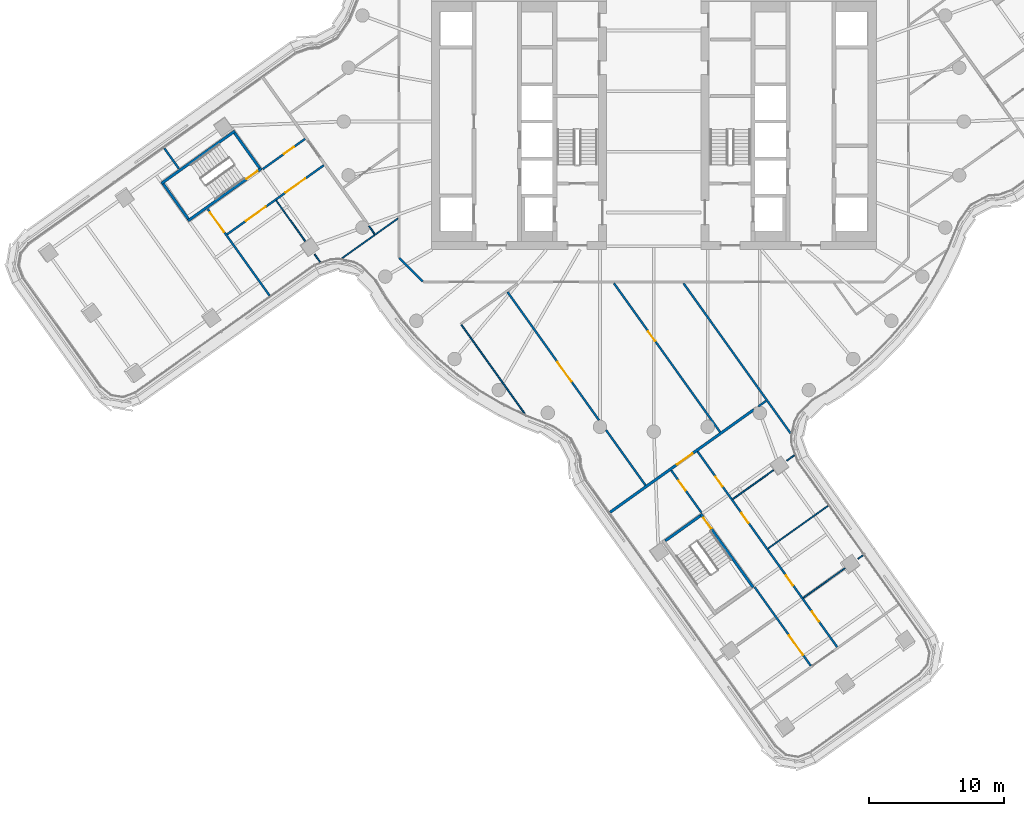
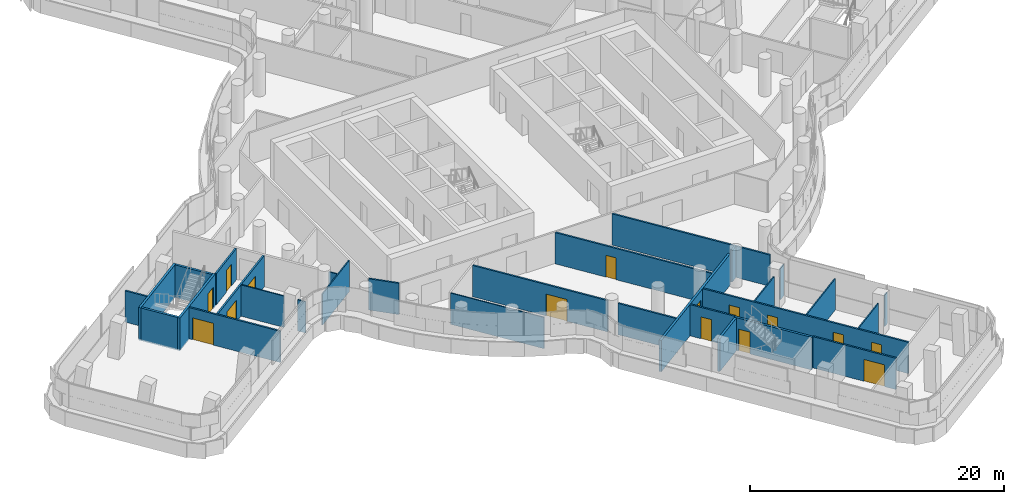
# One storey, part 19 of 31: 30 walls, 15 doors, 15 openings.
"""IFC4 building model written with IfcOpenShell, lengths in metres."""

from ifc_helpers import new_model, si_unit, direction, frame, frame_2d, origin, place, context, subcontext, project, spatial, polyline, rectangle, outline, extrude, material, layer, layer_set, type_object, element, fill, save


model = new_model("IFC4")

# Units and contexts
model_context = context("Model", 3, precision=1e-05, world=origin(), true_north=direction((0.0, 1.0)))
body_context = subcontext(model_context, "Body", "Model", "MODEL_VIEW")
ifc_project = project(units=[si_unit("LENGTHUNIT", "METRE"), si_unit("AREAUNIT", "SQUARE_METRE"), si_unit("VOLUMEUNIT", "CUBIC_METRE"), si_unit("PLANEANGLEUNIT", "RADIAN"), si_unit("MASSUNIT", "GRAM", prefix="KILO")], contexts=[model_context])

# Site, building, storey
site_placement = place(None, origin())
site = spatial("IfcSite", under=ifc_project, at=site_placement, CompositionType="ELEMENT")
building_placement = place(site_placement, origin())
building = spatial("IfcBuilding", under=site, at=building_placement, Name="Tamarind Cross Interchange Tower", CompositionType="ELEMENT")
storey_placement = place(building_placement, frame((0.0, 0.0, 163.0)))
storey = spatial("IfcBuildingStorey", under=building, at=storey_placement, Name="L40", CompositionType="ELEMENT", Elevation=163.0)

# Walls
ifc_material_1 = material(Name="Gypsum board partition on steel studs", Category="steel")
ifc_layer_1 = layer(ifc_material_1, 0.10009765625)
ifc_layer_set_1 = layer_set([ifc_layer_1], Name="Gypsum board partition on steel studs")
wall_type_1 = type_object("IfcWallType", Name="Partition 100 mm EI 90", PredefinedType="PARTITIONING", material=ifc_layer_set_1)
wall_1_placement = place(storey_placement, frame((-21.133544921875, -7.75244140625, 0.0), z_axis=(0.0, 0.0, 1.0), x_axis=(0.581112755837, -0.813823055094, 0.0)))
element("IfcWall", 1, at=wall_1_placement, inside=storey, type_object=wall_type_1, Name="Partition L40-004", PredefinedType="PARTITIONING", context=body_context, shape_type="SweptSolid", body=[
    extrude(rectangle(XDim=0.736572265625, YDim=0.10009765625, at=frame_2d((0.3681640625, 0.0))), origin(), (0.0, 0.0, 1.0), 3.010009765625),
])
wall_2_placement = place(storey_placement, frame((-28.014404296875, -5.860107421875, 0.0), z_axis=(0.0, 0.0, 1.0), x_axis=(0.581026614331, -0.813884557808, 0.0)))
element("IfcWall", 2, at=wall_2_placement, inside=storey, type_object=wall_type_1, Name="Partition L40-005", PredefinedType="PARTITIONING", context=body_context, shape_type="SweptSolid", body=[
    extrude(rectangle(XDim=3.71142578125, YDim=0.10009765625, at=frame_2d((1.855712890625, 0.0))), origin(), (0.0, 0.0, 1.0), 3.010009765625),
])
wall_3_placement = place(storey_placement, frame((-25.163818359375, -9.853271484375, 0.0), z_axis=(0.0, 0.0, 1.0), x_axis=(0.580867780288, -0.81399792495, 0.0)))
element("IfcWall", 3, at=wall_3_placement, inside=storey, type_object=wall_type_1, Name="Partition L40-006", PredefinedType="PARTITIONING", context=body_context, shape_type="SweptSolid", body=[
    extrude(rectangle(XDim=0.68603515625, YDim=0.10009765625, at=frame_2d((0.343017578125, 0.0))), origin(), (0.0, 0.0, 1.0), 3.010009765625),
])
wall_4_placement = place(storey_placement, frame((-14.2763671875, -15.0830078125, 0.0), z_axis=(0.0, 0.0, 1.0), x_axis=(0.581066903394, -0.813855794217, 0.0)))
element("IfcWall", 4, at=wall_4_placement, inside=storey, type_object=wall_type_1, Name="Partition L40-008", PredefinedType="PARTITIONING", context=body_context, shape_type="SweptSolid", body=[
    extrude(rectangle(XDim=8.090087890625, YDim=0.10009765625, at=frame_2d((4.044921875, 0.0))), origin(), (0.0, 0.0, 1.0), 3.010009765625),
])
wall_5_placement = place(storey_placement, frame((-23.128662109375, -10.14404296875, 0.0), z_axis=(0.0, 0.0, 1.0), x_axis=(0.813856589763, 0.581065789132, 0.0)))
element("IfcWall", 5, at=wall_5_placement, inside=storey, type_object=wall_type_1, Name="Partition L40-047", PredefinedType="PARTITIONING", context=body_context, shape_type="SweptSolid", body=[
    extrude(rectangle(XDim=5.090576171875, YDim=0.10009765625, at=frame_2d((2.54541015625, 0.0))), origin(), (0.0, 0.0, 1.0), 3.010009765625),
])
wall_6_placement = place(storey_placement, frame((11.089599609375, -35.338623046875, 0.0), z_axis=(0.0, 0.0, 1.0), x_axis=(0.813816098743, 0.581122497781, 0.0)))
element("IfcWall", 6, at=wall_6_placement, inside=storey, type_object=wall_type_1, Name="Partition L40-061", PredefinedType="PARTITIONING", context=body_context, shape_type="SweptSolid", body=[
    extrude(rectangle(XDim=3.792724609375, YDim=0.10009765625, at=frame_2d((1.896484375, 0.0))), origin(), (0.0, 0.0, 1.0), 3.010009765625),
])
wall_7_placement = place(storey_placement, frame((15.148681640625, -32.440185546875, 0.0), z_axis=(0.0, 0.0, 1.0), x_axis=(0.813915170584, 0.580983730489, 0.0)))
element("IfcWall", 7, at=wall_7_placement, inside=storey, type_object=wall_type_1, Name="Partition L40-062", PredefinedType="PARTITIONING", context=body_context, shape_type="SweptSolid", body=[
    extrude(rectangle(XDim=0.453857421875, YDim=0.10009765625, at=frame_2d((0.22705078125, 0.0))), origin(), (0.0, 0.0, 1.0), 3.010009765625),
])
wall_8_placement = place(storey_placement, frame((5.864013671875, -28.011474609375, 0.0), z_axis=(0.0, 0.0, 1.0), x_axis=(0.813902551418, 0.581001408599, 0.0)))
element("IfcWall", 8, at=wall_8_placement, inside=storey, type_object=wall_type_1, Name="Partition L40-063", PredefinedType="PARTITIONING", context=body_context, shape_type="SweptSolid", body=[
    extrude(rectangle(XDim=3.70654296875, YDim=0.10009765625, at=frame_2d((1.853271484375, 0.0))), origin(), (0.0, 0.0, 1.0), 3.010009765625),
])
wall_9_placement = place(storey_placement, frame((9.853271484375, -25.163818359375, 0.0), z_axis=(0.0, 0.0, 1.0), x_axis=(0.81399792495, 0.580867780288, 0.0)))
element("IfcWall", 9, at=wall_9_placement, inside=storey, type_object=wall_type_1, Name="Partition L40-064", PredefinedType="PARTITIONING", context=body_context, shape_type="SweptSolid", body=[
    extrude(rectangle(XDim=0.68603515625, YDim=0.10009765625, at=frame_2d((0.343017578125, 0.0))), origin(), (0.0, 0.0, 1.0), 3.010009765625),
])
wall_10_placement = place(storey_placement, frame((8.47509765625, -31.676513671875, 0.0), z_axis=(0.0, 0.0, 1.0), x_axis=(0.813863552806, 0.58105603638, 0.0)))
element("IfcWall", 10, at=wall_10_placement, inside=storey, type_object=wall_type_1, Name="Partition L40-066", PredefinedType="PARTITIONING", context=body_context, shape_type="SweptSolid", body=[
    extrude(rectangle(XDim=5.4521484375, YDim=0.10009765625, at=frame_2d((2.72607421875, 0.0))), origin(), (0.0, 0.0, 1.0), 3.010009765625),
])
ifc_layer_2 = layer(ifc_material_1, 0.14990234375)
ifc_layer_set_2 = layer_set([ifc_layer_2], Name="Gypsum board partition on steel studs")
wall_type_2 = type_object("IfcWallType", Name="Partition 150 mm EI 120", PredefinedType="PARTITIONING", material=ifc_layer_set_2)
wall_11_placement = place(storey_placement, frame((-36.310302734375, -1.985107421875, 0.0), z_axis=(0.0, 0.0, 1.0), x_axis=(0.58134998699, -0.813653607272, 0.0)))
element("IfcWall", 11, at=wall_11_placement, inside=storey, type_object=wall_type_2, Name="Partition L40-001", PredefinedType="PARTITIONING", context=body_context, shape_type="SweptSolid", body=[
    extrude(rectangle(XDim=1.859130859375, YDim=0.14990234375, at=frame_2d((0.9296875, 0.0))), origin(), (0.0, 0.0, 1.0), 3.010009765625),
])

# Wall, opening, door
wall_12_placement = place(storey_placement, frame((-33.09033203125, -6.491943359375, 0.0), z_axis=(0.0, 0.0, 1.0), x_axis=(0.581337737227, -0.813662359505, 0.0)))
wall_12 = element("IfcWall", 12, at=wall_12_placement, inside=storey, type_object=wall_type_2, Name="Partition L40-002", PredefinedType="PARTITIONING", context=body_context, shape_type="SweptSolid", body=[
    extrude(rectangle(XDim=7.8876953125, YDim=0.14990234375, at=frame_2d((3.94384765625, 0.0))), origin(), (0.0, 0.0, 1.0), 3.010009765625),
])
opening_1_placement = place(wall_12_placement, frame((0.300048828125, 0.0, 0.0)))
opening_1 = element("IfcOpeningElement", 13, at=opening_1_placement, cuts=wall_12, Name="Opening D01", PredefinedType="OPENING", context=body_context, shape_type="SweptSolid", body=[
    extrude(rectangle(XDim=1.800048828125, YDim=2.10009765625, at=frame_2d((0.89990234375, 1.050048828125))), frame((0.0, 0.0849609375, 0.0), z_axis=(0.0, -1.0, 0.0), x_axis=(1.0, 0.0, 0.0)), (0.0, 0.0, 1.0), 0.169921875),
])
ifc_material_2 = material(Name="Fire-resisting door set")
door_type_1 = type_object("IfcDoorType", Name="Interior door 1800 x 2100 FD60S", OperationType="DOUBLE_DOOR_SINGLE_SWING", PredefinedType="DOOR", material=ifc_material_2)
door_1_placement = place(opening_1_placement, frame((1.800048828125, 0.0, 0.0), z_axis=(0.0, 0.0, 1.0), x_axis=(-1.0, 0.0, 0.0)))
door_1 = element("IfcDoor", 14, at=door_1_placement, inside=storey, type_object=door_type_1, Name="Door D01", OperationType="DOUBLE_DOOR_SINGLE_SWING", OverallHeight=2.10009765625, OverallWidth=1.800048828125, PredefinedType="DOOR", context=body_context, shape_type="SweptSolid", body=[
    extrude(rectangle(XDim=1.800048828125, YDim=2.10009765625, at=frame_2d((0.89990234375, 1.050048828125))), frame((0.0, 0.02490234375, 0.0), z_axis=(0.0, -1.0, 0.0), x_axis=(1.0, 0.0, 0.0)), (0.0, 0.0, 1.0), 0.050048828125),
])
fill(opening_1, door_1)

wall_13_placement = place(storey_placement, frame((-10.85546875, -12.64599609375, 0.0), z_axis=(0.0, 0.0, 1.0), x_axis=(0.581046528205, -0.813870341063, 0.0)))
wall_13 = element("IfcWall", 15, at=wall_13_placement, inside=storey, type_object=wall_type_2, Name="Partition L40-010", PredefinedType="PARTITIONING", context=body_context, shape_type="SweptSolid", body=[
    extrude(rectangle(XDim=11.688720703125, YDim=0.14990234375, at=frame_2d((5.84423828125, 0.0))), origin(), (0.0, 0.0, 1.0), 3.010009765625),
])
opening_2_placement = place(wall_13_placement, frame((6.3701171875, 0.0, 0.0)))
opening_2 = element("IfcOpeningElement", 16, at=opening_2_placement, cuts=wall_13, Name="Opening D05", PredefinedType="OPENING", context=body_context, shape_type="SweptSolid", body=[
    extrude(rectangle(XDim=1.800048828125, YDim=2.10009765625, at=frame_2d((0.89990234375, 1.050048828125))), frame((0.0, 0.0849609375, 0.0), z_axis=(0.0, -1.0, 0.0), x_axis=(1.0, 0.0, 0.0)), (0.0, 0.0, 1.0), 0.169921875),
])
door_2_placement = place(opening_2_placement, frame((1.800048828125, 0.0, 0.0), z_axis=(0.0, 0.0, 1.0), x_axis=(-1.0, 0.0, 0.0)))
door_2 = element("IfcDoor", 17, at=door_2_placement, inside=storey, type_object=door_type_1, Name="Door D05", OperationType="DOUBLE_DOOR_SINGLE_SWING", OverallHeight=2.10009765625, OverallWidth=1.800048828125, PredefinedType="DOOR", context=body_context, shape_type="SweptSolid", body=[
    extrude(rectangle(XDim=1.800048828125, YDim=2.10009765625, at=frame_2d((0.89990234375, 1.050048828125))), frame((0.0, 0.02490234375, 0.0), z_axis=(0.0, -1.0, 0.0), x_axis=(1.0, 0.0, 0.0)), (0.0, 0.0, 1.0), 0.050048828125),
])
fill(opening_2, door_2)

# Wall
wall_14_placement = place(storey_placement, frame((-3.54638671875, -22.8837890625, 0.0), z_axis=(0.0, 0.0, 1.0), x_axis=(0.581059513392, -0.81386107039, 0.0)))
element("IfcWall", 18, at=wall_14_placement, inside=storey, type_object=wall_type_2, Name="Partition L40-011", PredefinedType="PARTITIONING", context=body_context, shape_type="SweptSolid", body=[
    extrude(rectangle(XDim=5.041015625, YDim=0.14990234375, at=frame_2d((2.5205078125, 0.0))), origin(), (0.0, 0.0, 1.0), 3.010009765625),
])

# Wall, opening, door
wall_15_placement = place(storey_placement, frame((-2.96044921875, -12.001708984375, 0.0), z_axis=(0.0, 0.0, 1.0), x_axis=(0.581045686684, -0.813870941849, 0.0)))
wall_15 = element("IfcWall", 19, at=wall_15_placement, inside=storey, type_object=wall_type_2, Name="Partition L40-017", PredefinedType="PARTITIONING", context=body_context, shape_type="SweptSolid", body=[
    extrude(rectangle(XDim=13.557373046875, YDim=0.14990234375, at=frame_2d((6.77880859375, 0.0))), origin(), (0.0, 0.0, 1.0), 3.010009765625),
])
opening_3_placement = place(wall_15_placement, frame((4.375, 0.0, 0.0)))
opening_3 = element("IfcOpeningElement", 20, at=opening_3_placement, cuts=wall_15, Name="Opening D08", PredefinedType="OPENING", context=body_context, shape_type="SweptSolid", body=[
    extrude(rectangle(XDim=0.89990234375, YDim=2.10009765625, at=frame_2d((0.449951171875, 1.050048828125))), frame((0.0, 0.0849609375, 0.0), z_axis=(0.0, -1.0, 0.0), x_axis=(1.0, 0.0, 0.0)), (0.0, 0.0, 1.0), 0.169921875),
])
door_type_2 = type_object("IfcDoorType", Name="Interior door 900 x 2100 FD60S", OperationType="SINGLE_SWING_LEFT", PredefinedType="DOOR", material=ifc_material_2)
door_3_placement = place(opening_3_placement, origin())
door_3 = element("IfcDoor", 21, at=door_3_placement, inside=storey, type_object=door_type_2, Name="Door D08", OperationType="SINGLE_SWING_RIGHT", OverallHeight=2.10009765625, OverallWidth=0.89990234375, PredefinedType="DOOR", context=body_context, shape_type="SweptSolid", body=[
    extrude(rectangle(XDim=0.89990234375, YDim=2.10009765625, at=frame_2d((0.449951171875, 1.050048828125))), frame((0.0, 0.02490234375, 0.0), z_axis=(0.0, -1.0, 0.0), x_axis=(1.0, 0.0, 0.0)), (0.0, 0.0, 1.0), 0.050048828125),
])
fill(opening_3, door_3)

wall_16_placement = place(storey_placement, frame((1.2890625, -25.871337890625, 0.0), z_axis=(0.0, 0.0, 1.0), x_axis=(0.581082620983, -0.813844572134, 0.0)))
wall_16 = element("IfcWall", 22, at=wall_16_placement, inside=storey, type_object=wall_type_2, Name="Partition L40-021", PredefinedType="PARTITIONING", context=body_context, shape_type="SweptSolid", body=[
    extrude(rectangle(XDim=3.85986328125, YDim=0.14990234375, at=frame_2d((1.929931640625, 0.0))), origin(), (0.0, 0.0, 1.0), 3.010009765625),
])
opening_4_placement = place(wall_16_placement, frame((0.949951171875, 0.0, 0.0)))
opening_4 = element("IfcOpeningElement", 23, at=opening_4_placement, cuts=wall_16, Name="Opening D12", PredefinedType="OPENING", context=body_context, shape_type="SweptSolid", body=[
    extrude(rectangle(XDim=0.89990234375, YDim=2.10009765625, at=frame_2d((0.449951171875, 1.050048828125))), frame((0.0, 0.0849609375, 0.0), z_axis=(0.0, -1.0, 0.0), x_axis=(1.0, 0.0, 0.0)), (0.0, 0.0, 1.0), 0.169921875),
])
door_4_placement = place(opening_4_placement, frame((0.89990234375, 0.0, 0.0), z_axis=(0.0, 0.0, 1.0), x_axis=(-1.0, 0.0, 0.0)))
door_4 = element("IfcDoor", 24, at=door_4_placement, inside=storey, type_object=door_type_2, Name="Door D12", OperationType="SINGLE_SWING_LEFT", OverallHeight=2.10009765625, OverallWidth=0.89990234375, PredefinedType="DOOR", context=body_context, shape_type="SweptSolid", body=[
    extrude(rectangle(XDim=0.89990234375, YDim=2.10009765625, at=frame_2d((0.449951171875, 1.050048828125))), frame((0.0, 0.02490234375, 0.0), z_axis=(0.0, -1.0, 0.0), x_axis=(1.0, 0.0, 0.0)), (0.0, 0.0, 1.0), 0.050048828125),
])
fill(opening_4, door_4)

wall_17_placement = place(storey_placement, frame((7.471923828125, -34.53076171875, 0.0), z_axis=(0.0, 0.0, 1.0), x_axis=(0.581077366751, -0.813848323614, 0.0)))
wall_17 = element("IfcWall", 25, at=wall_17_placement, inside=storey, type_object=wall_type_2, Name="Partition L40-022", PredefinedType="PARTITIONING", context=body_context, shape_type="SweptSolid", body=[
    extrude(rectangle(XDim=7.180419921875, YDim=0.14990234375, at=frame_2d((3.59033203125, 0.0))), origin(), (0.0, 0.0, 1.0), 3.010009765625),
])
opening_5_placement = place(wall_17_placement, frame((4.40966796875, 0.0, 0.0)))
opening_5 = element("IfcOpeningElement", 26, at=opening_5_placement, cuts=wall_17, Name="Opening D13", PredefinedType="OPENING", context=body_context, shape_type="SweptSolid", body=[
    extrude(rectangle(XDim=1.800048828125, YDim=2.10009765625, at=frame_2d((0.89990234375, 1.050048828125))), frame((0.0, 0.0849609375, 0.0), z_axis=(0.0, -1.0, 0.0), x_axis=(1.0, 0.0, 0.0)), (0.0, 0.0, 1.0), 0.169921875),
])
door_5_placement = place(opening_5_placement, frame((1.800048828125, 0.0, 0.0), z_axis=(0.0, 0.0, 1.0), x_axis=(-1.0, 0.0, 0.0)))
door_5 = element("IfcDoor", 27, at=door_5_placement, inside=storey, type_object=door_type_1, Name="Door D13", OperationType="DOUBLE_DOOR_SINGLE_SWING", OverallHeight=2.10009765625, OverallWidth=1.800048828125, PredefinedType="DOOR", context=body_context, shape_type="SweptSolid", body=[
    extrude(rectangle(XDim=1.800048828125, YDim=2.10009765625, at=frame_2d((0.89990234375, 1.050048828125))), frame((0.0, 0.02490234375, 0.0), z_axis=(0.0, -1.0, 0.0), x_axis=(1.0, 0.0, 0.0)), (0.0, 0.0, 1.0), 0.050048828125),
])
fill(opening_5, door_5)

# Wall
wall_18_placement = place(storey_placement, frame((2.20068359375, -12.001708984375, 0.0), z_axis=(0.0, 0.0, 1.0), x_axis=(0.580967898018, -0.813926471785, 0.0)))
element("IfcWall", 28, at=wall_18_placement, inside=storey, type_object=wall_type_2, Name="Partition L40-023", PredefinedType="PARTITIONING", context=body_context, shape_type="SweptSolid", body=[
    extrude(rectangle(XDim=13.672119140625, YDim=0.14990234375, at=frame_2d((6.8359375, 0.0))), origin(), (0.0, 0.0, 1.0), 3.010009765625),
])

# Wall, openings, doors
wall_19_placement = place(storey_placement, frame((3.2431640625, -24.477294921875, 0.0), z_axis=(0.0, 0.0, 1.0), x_axis=(0.581023028926, -0.813887117393, 0.0)))
wall_19 = element("IfcWall", 29, at=wall_19_placement, inside=storey, type_object=wall_type_2, Name="Partition L40-024", PredefinedType="PARTITIONING", context=body_context, shape_type="SweptSolid", body=[
    extrude(rectangle(XDim=17.819091796875, YDim=0.14990234375, at=frame_2d((8.90966796875, 0.0))), origin(), (0.0, 0.0, 1.0), 3.010009765625),
])
opening_6_placement = place(wall_19_placement, frame((2.300048828125, 0.0, 0.0)))
opening_6 = element("IfcOpeningElement", 30, at=opening_6_placement, cuts=wall_19, Name="Opening D14", PredefinedType="OPENING", context=body_context, shape_type="SweptSolid", body=[
    extrude(rectangle(XDim=0.89990234375, YDim=2.10009765625, at=frame_2d((0.449951171875, 1.050048828125))), frame((0.0, 0.0849609375, 0.0), z_axis=(0.0, -1.0, 0.0), x_axis=(1.0, 0.0, 0.0)), (0.0, 0.0, 1.0), 0.169921875),
])
opening_7_placement = place(wall_19_placement, frame((5.59912109375, 0.0, 0.0)))
opening_7 = element("IfcOpeningElement", 31, at=opening_7_placement, cuts=wall_19, Name="Opening D15", PredefinedType="OPENING", context=body_context, shape_type="SweptSolid", body=[
    extrude(rectangle(XDim=0.89990234375, YDim=2.10009765625, at=frame_2d((0.449951171875, 1.050048828125))), frame((0.0, 0.0849609375, 0.0), z_axis=(0.0, -1.0, 0.0), x_axis=(1.0, 0.0, 0.0)), (0.0, 0.0, 1.0), 0.169921875),
])
opening_8_placement = place(wall_19_placement, frame((11.299072265625, 0.0, 0.0)))
opening_8 = element("IfcOpeningElement", 32, at=opening_8_placement, cuts=wall_19, Name="Opening D16", PredefinedType="OPENING", context=body_context, shape_type="SweptSolid", body=[
    extrude(rectangle(XDim=0.89990234375, YDim=2.10009765625, at=frame_2d((0.449951171875, 1.050048828125))), frame((0.0, 0.0849609375, 0.0), z_axis=(0.0, -1.0, 0.0), x_axis=(1.0, 0.0, 0.0)), (0.0, 0.0, 1.0), 0.169921875),
])
opening_9_placement = place(wall_19_placement, frame((14.599609375, 0.0, 0.0)))
opening_9 = element("IfcOpeningElement", 33, at=opening_9_placement, cuts=wall_19, Name="Opening D17", PredefinedType="OPENING", context=body_context, shape_type="SweptSolid", body=[
    extrude(rectangle(XDim=0.89990234375, YDim=2.10009765625, at=frame_2d((0.449951171875, 1.050048828125))), frame((0.0, 0.0849609375, 0.0), z_axis=(0.0, -1.0, 0.0), x_axis=(1.0, 0.0, 0.0)), (0.0, 0.0, 1.0), 0.169921875),
])
door_6_placement = place(opening_6_placement, origin())
door_6 = element("IfcDoor", 34, at=door_6_placement, inside=storey, type_object=door_type_2, Name="Door D14", OperationType="SINGLE_SWING_RIGHT", OverallHeight=2.10009765625, OverallWidth=0.89990234375, PredefinedType="DOOR", context=body_context, shape_type="SweptSolid", body=[
    extrude(rectangle(XDim=0.89990234375, YDim=2.10009765625, at=frame_2d((0.449951171875, 1.050048828125))), frame((0.0, 0.02490234375, 0.0), z_axis=(0.0, -1.0, 0.0), x_axis=(1.0, 0.0, 0.0)), (0.0, 0.0, 1.0), 0.050048828125),
])
fill(opening_6, door_6)
door_7_placement = place(opening_7_placement, origin())
door_7 = element("IfcDoor", 35, at=door_7_placement, inside=storey, type_object=door_type_2, Name="Door D15", OperationType="SINGLE_SWING_RIGHT", OverallHeight=2.10009765625, OverallWidth=0.89990234375, PredefinedType="DOOR", context=body_context, shape_type="SweptSolid", body=[
    extrude(rectangle(XDim=0.89990234375, YDim=2.10009765625, at=frame_2d((0.449951171875, 1.050048828125))), frame((0.0, 0.02490234375, 0.0), z_axis=(0.0, -1.0, 0.0), x_axis=(1.0, 0.0, 0.0)), (0.0, 0.0, 1.0), 0.050048828125),
])
fill(opening_7, door_7)
door_8_placement = place(opening_8_placement, origin())
door_8 = element("IfcDoor", 36, at=door_8_placement, inside=storey, type_object=door_type_2, Name="Door D16", OperationType="SINGLE_SWING_LEFT", OverallHeight=2.10009765625, OverallWidth=0.89990234375, PredefinedType="DOOR", context=body_context, shape_type="SweptSolid", body=[
    extrude(rectangle(XDim=0.89990234375, YDim=2.10009765625, at=frame_2d((0.449951171875, 1.050048828125))), frame((0.0, 0.02490234375, 0.0), z_axis=(0.0, -1.0, 0.0), x_axis=(1.0, 0.0, 0.0)), (0.0, 0.0, 1.0), 0.050048828125),
])
fill(opening_8, door_8)
door_9_placement = place(opening_9_placement, origin())
door_9 = element("IfcDoor", 37, at=door_9_placement, inside=storey, type_object=door_type_2, Name="Door D17", OperationType="SINGLE_SWING_LEFT", OverallHeight=2.10009765625, OverallWidth=0.89990234375, PredefinedType="DOOR", context=body_context, shape_type="SweptSolid", body=[
    extrude(rectangle(XDim=0.89990234375, YDim=2.10009765625, at=frame_2d((0.449951171875, 1.050048828125))), frame((0.0, 0.02490234375, 0.0), z_axis=(0.0, -1.0, 0.0), x_axis=(1.0, 0.0, 0.0)), (0.0, 0.0, 1.0), 0.050048828125),
])
fill(opening_9, door_9)

# Wall
wall_20_placement = place(storey_placement, frame((-18.87158203125, -10.12841796875, 0.0), z_axis=(0.0, 0.0, 1.0), x_axis=(0.707106781187, -0.707106781187, 0.0)))
element("IfcWall", 38, at=wall_20_placement, inside=storey, type_object=wall_type_2, Name="Partition L40-034", PredefinedType="PARTITIONING", context=body_context, shape_type="SweptSolid", body=[
    extrude(rectangle(XDim=2.465087890625, YDim=0.14990234375, at=frame_2d((1.232421875, 0.0))), origin(), (0.0, 0.0, 1.0), 3.010009765625),
])

# Wall, openings, doors
wall_21_placement = place(storey_placement, frame((-31.65478515625, -8.367431640625, 0.0), z_axis=(0.0, 0.0, 1.0), x_axis=(0.813810154741, 0.581130821795, 0.0)))
wall_21 = element("IfcWall", 39, at=wall_21_placement, inside=storey, type_object=wall_type_2, Name="Partition L40-042", PredefinedType="PARTITIONING", context=body_context, shape_type="SweptSolid", body=[
    extrude(rectangle(XDim=8.819091796875, YDim=0.14990234375, at=frame_2d((4.40966796875, 0.0))), origin(), (0.0, 0.0, 1.0), 3.010009765625),
])
opening_10_placement = place(wall_21_placement, frame((1.719970703125, 0.0, 0.0)))
opening_10 = element("IfcOpeningElement", 40, at=opening_10_placement, cuts=wall_21, Name="Opening D26", PredefinedType="OPENING", context=body_context, shape_type="SweptSolid", body=[
    extrude(rectangle(XDim=1.800048828125, YDim=2.10009765625, at=frame_2d((0.89990234375, 1.050048828125))), frame((0.0, 0.0849609375, 0.0), z_axis=(0.0, -1.0, 0.0), x_axis=(1.0, 0.0, 0.0)), (0.0, 0.0, 1.0), 0.169921875),
])
opening_11_placement = place(wall_21_placement, frame((5.31982421875, 0.0, 0.0)))
opening_11 = element("IfcOpeningElement", 41, at=opening_11_placement, cuts=wall_21, Name="Opening D27", PredefinedType="OPENING", context=body_context, shape_type="SweptSolid", body=[
    extrude(rectangle(XDim=1.800048828125, YDim=2.10009765625, at=frame_2d((0.89990234375, 1.050048828125))), frame((0.0, 0.0849609375, 0.0), z_axis=(0.0, -1.0, 0.0), x_axis=(1.0, 0.0, 0.0)), (0.0, 0.0, 1.0), 0.169921875),
])
door_10_placement = place(opening_10_placement, frame((1.800048828125, 0.0, 0.0), z_axis=(0.0, 0.0, 1.0), x_axis=(-1.0, 0.0, 0.0)))
door_10 = element("IfcDoor", 42, at=door_10_placement, inside=storey, type_object=door_type_1, Name="Door D26", OperationType="DOUBLE_DOOR_SINGLE_SWING", OverallHeight=2.10009765625, OverallWidth=1.800048828125, PredefinedType="DOOR", context=body_context, shape_type="SweptSolid", body=[
    extrude(rectangle(XDim=1.800048828125, YDim=2.10009765625, at=frame_2d((0.89990234375, 1.050048828125))), frame((0.0, 0.02490234375, 0.0), z_axis=(0.0, -1.0, 0.0), x_axis=(1.0, 0.0, 0.0)), (0.0, 0.0, 1.0), 0.050048828125),
])
fill(opening_10, door_10)
door_11_placement = place(opening_11_placement, frame((1.800048828125, 0.0, 0.0), z_axis=(0.0, 0.0, 1.0), x_axis=(-1.0, 0.0, 0.0)))
door_11 = element("IfcDoor", 43, at=door_11_placement, inside=storey, type_object=door_type_1, Name="Door D27", OperationType="DOUBLE_DOOR_SINGLE_SWING", OverallHeight=2.10009765625, OverallWidth=1.800048828125, PredefinedType="DOOR", context=body_context, shape_type="SweptSolid", body=[
    extrude(rectangle(XDim=1.800048828125, YDim=2.10009765625, at=frame_2d((0.89990234375, 1.050048828125))), frame((0.0, 0.02490234375, 0.0), z_axis=(0.0, -1.0, 0.0), x_axis=(1.0, 0.0, 0.0)), (0.0, 0.0, 1.0), 0.050048828125),
])
fill(opening_11, door_11)

# Wall, opening, door
wall_22_placement = place(storey_placement, frame((-29.0126953125, -3.531982421875, 0.0), z_axis=(0.0, 0.0, 1.0), x_axis=(0.813844572134, 0.581082620983, 0.0)))
wall_22 = element("IfcWall", 44, at=wall_22_placement, inside=storey, type_object=wall_type_2, Name="Partition L40-043", PredefinedType="PARTITIONING", context=body_context, shape_type="SweptSolid", body=[
    extrude(rectangle(XDim=3.85986328125, YDim=0.14990234375, at=frame_2d((1.929931640625, 0.0))), origin(), (0.0, 0.0, 1.0), 3.010009765625),
])
opening_12_placement = place(wall_22_placement, frame((1.949951171875, 0.0, 0.0)))
opening_12 = element("IfcOpeningElement", 45, at=opening_12_placement, cuts=wall_22, Name="Opening D28", PredefinedType="OPENING", context=body_context, shape_type="SweptSolid", body=[
    extrude(rectangle(XDim=0.89990234375, YDim=2.10009765625, at=frame_2d((0.449951171875, 1.050048828125))), frame((0.0, 0.0849609375, 0.0), z_axis=(0.0, -1.0, 0.0), x_axis=(1.0, 0.0, 0.0)), (0.0, 0.0, 1.0), 0.169921875),
])
door_12_placement = place(opening_12_placement, origin())
door_12 = element("IfcDoor", 46, at=door_12_placement, inside=storey, type_object=door_type_2, Name="Door D28", OperationType="SINGLE_SWING_LEFT", OverallHeight=2.10009765625, OverallWidth=0.89990234375, PredefinedType="DOOR", context=body_context, shape_type="SweptSolid", body=[
    extrude(rectangle(XDim=0.89990234375, YDim=2.10009765625, at=frame_2d((0.449951171875, 1.050048828125))), frame((0.0, 0.02490234375, 0.0), z_axis=(0.0, -1.0, 0.0), x_axis=(1.0, 0.0, 0.0)), (0.0, 0.0, 1.0), 0.050048828125),
])
fill(opening_12, door_12)

# Wall
wall_23_placement = place(storey_placement, frame((7.75244140625, -21.133544921875, 0.0), z_axis=(0.0, 0.0, 1.0), x_axis=(0.813756818138, 0.581205506628, 0.0)))
element("IfcWall", 47, at=wall_23_placement, inside=storey, type_object=wall_type_2, Name="Partition L40-058", PredefinedType="PARTITIONING", context=body_context, shape_type="SweptSolid", body=[
    extrude(rectangle(XDim=0.70654296875, YDim=0.14990234375, at=frame_2d((0.353271484375, 0.0))), origin(), (0.0, 0.0, 1.0), 3.010009765625),
])

# Wall, opening, door
ifc_layer_3 = layer(ifc_material_1, 0.199951171875)
ifc_layer_set_3 = layer_set([ifc_layer_3], Name="Gypsum board partition on steel studs")
wall_type_3 = type_object("IfcWallType", Name="Partition 200 mm EI 180", PredefinedType="PARTITIONING", material=ifc_layer_set_3)
wall_24_placement = place(storey_placement, frame((-3.244140625, -28.9853515625, 0.0), z_axis=(0.0, 0.0, 1.0), x_axis=(0.813830379287, 0.581102498489, 0.0)))
wall_24 = element("IfcWall", 48, at=wall_24_placement, inside=storey, type_object=wall_type_3, Name="Partition L40-057", PredefinedType="PARTITIONING", context=body_context, shape_type="SweptSolid", body=[
    extrude(rectangle(XDim=13.105712890625, YDim=0.199951171875, at=frame_2d((6.552734375, 0.0))), origin(), (0.0, 0.0, 1.0), 3.010009765625),
])
opening_13_placement = place(wall_24_placement, frame((6.098876953125, 0.0, 0.0)))
opening_13 = element("IfcOpeningElement", 49, at=opening_13_placement, cuts=wall_24, Name="Opening D34", PredefinedType="OPENING", context=body_context, shape_type="SweptSolid", body=[
    extrude(rectangle(XDim=1.39990234375, YDim=2.10009765625, at=frame_2d((0.699951171875, 1.050048828125))), frame((0.0, 0.10986328125, 0.0), z_axis=(0.0, -1.0, 0.0), x_axis=(1.0, 0.0, 0.0)), (0.0, 0.0, 1.0), 0.219970703125),
])
door_type_3 = type_object("IfcDoorType", Name="Interior door 1400 x 2100 FD120S", OperationType="DOUBLE_DOOR_SINGLE_SWING", PredefinedType="DOOR", material=ifc_material_2)
door_13_placement = place(opening_13_placement, origin())
door_13 = element("IfcDoor", 50, at=door_13_placement, inside=storey, type_object=door_type_3, Name="Door D34", OperationType="DOUBLE_DOOR_SINGLE_SWING", OverallHeight=2.10009765625, OverallWidth=1.39990234375, PredefinedType="DOOR", context=body_context, shape_type="SweptSolid", body=[
    extrude(rectangle(XDim=1.39990234375, YDim=2.10009765625, at=frame_2d((0.699951171875, 1.050048828125))), frame((0.0, 0.02490234375, 0.0), z_axis=(0.0, -1.0, 0.0), x_axis=(1.0, 0.0, 0.0)), (0.0, 0.0, 1.0), 0.050048828125),
])
fill(opening_13, door_13)

ifc_material_3 = material(Name="Concrete C40", Category="concrete")
ifc_layer_4 = layer(ifc_material_3, 0.199951171875)
ifc_layer_set_4 = layer_set([ifc_layer_4], Name="Concrete C40")
wall_type_4 = type_object("IfcWallType", Name="Stair shaft wall 200 mm Concrete C40", PredefinedType="SHEAR", material=ifc_layer_set_4)
wall_25_placement = place(storey_placement, frame((-29.103515625, -3.47412109375, -0.139892578125), z_axis=(0.0, 0.0, 1.0), x_axis=(-0.813893474933, -0.58101412329, 0.0)))
wall_25 = element("IfcWall", 51, at=wall_25_placement, inside=storey, type_object=wall_type_4, Name="Core wall CWL-L40-ST5-H", PredefinedType="SHEAR", context=body_context, shape_type="SweptSolid", body=[
    extrude(rectangle(XDim=6.699951171875, YDim=0.199951171875, at=frame_2d((3.35009765625, 0.0))), origin(), (0.0, 0.0, 1.0), 3.14990234375),
])
opening_14_placement = place(wall_25_placement, frame((0.35009765625, 0.0, 0.0)))
opening_14 = element("IfcOpeningElement", 52, at=opening_14_placement, cuts=wall_25, Name="Opening ST5L40", PredefinedType="OPENING", context=body_context, shape_type="SweptSolid", body=[
    extrude(rectangle(XDim=1.0, YDim=2.10009765625, at=frame_2d((0.5, 1.050048828125))), frame((0.0, 0.10986328125, 0.0), z_axis=(0.0, -1.0, 0.0), x_axis=(1.0, 0.0, 0.0)), (0.0, 0.0, 1.0), 0.219970703125),
])
ifc_material_4 = material(Name="Steel, fire-resisting", Category="steel")
door_type_4 = type_object("IfcDoorType", Name="Core fire door 1000 x 2100 FD90", OperationType="SINGLE_SWING_LEFT", PredefinedType="DOOR", material=ifc_material_4)
door_14_placement = place(opening_14_placement, origin())
door_14 = element("IfcDoor", 53, at=door_14_placement, inside=storey, type_object=door_type_4, Name="L40 stair door ST5", OperationType="SINGLE_SWING_LEFT", OverallHeight=2.10009765625, OverallWidth=1.0, PredefinedType="DOOR", context=body_context, shape_type="SweptSolid", body=[
    extrude(rectangle(XDim=1.0, YDim=2.10009765625, at=frame_2d((0.5, 1.050048828125))), frame((0.0, 0.02490234375, 0.0), z_axis=(0.0, -1.0, 0.0), x_axis=(1.0, 0.0, 0.0)), (0.0, 0.0, 1.0), 0.050048828125),
])
fill(opening_14, door_14)

# Walls
wall_26_placement = place(storey_placement, frame((-31.0791015625, -0.706787109375, -0.139892578125), z_axis=(0.0, 0.0, 1.0), x_axis=(-0.813881173523, -0.581031354906, 0.0)))
element("IfcWall", 54, at=wall_26_placement, inside=storey, type_object=wall_type_4, Name="Core wall CWL-L40-ST5-C", PredefinedType="SHEAR", context=body_context, shape_type="SweptSolid", body=[
    extrude(rectangle(XDim=6.699951171875, YDim=0.199951171875, at=frame_2d((3.35009765625, 0.0))), origin(), (0.0, 0.0, 1.0), 3.14990234375),
])
wall_27_placement = place(storey_placement, frame((-31.102294921875, -0.84619140625, -0.139892578125), z_axis=(0.0, 0.0, 1.0), x_axis=(0.580985567777, -0.8139138591, 0.0)))
element("IfcWall", 55, at=wall_27_placement, inside=storey, type_object=wall_type_4, Name="Core wall CWL-L40-ST5-CE", PredefinedType="SHEAR", context=body_context, shape_type="SweptSolid", body=[
    extrude(rectangle(XDim=3.199951171875, YDim=0.199951171875, at=frame_2d((1.60009765625, 0.0))), origin(), (0.0, 0.0, 1.0), 3.14990234375),
])
wall_28_placement = place(storey_placement, frame((0.0, 0.0, -0.139892578125)))
element("IfcWall", 56, at=wall_28_placement, inside=storey, type_object=wall_type_4, Name="Core wall CWL-L40-ST5-CF", PredefinedType="SHEAR", context=body_context, shape_type="SweptSolid", body=[
    extrude(outline(polyline([(-36.311279296875, -4.56494140625), (-36.47412109375, -4.68115234375), (-34.61474609375, -7.285400390625), (-34.451904296875, -7.169189453125), (-36.311279296875, -4.56494140625)])), origin(), (0.0, 0.0, 1.0), 3.14990234375),
])

# Wall, opening, door
wall_29_placement = place(storey_placement, frame((3.47412109375, -29.103515625, -0.139892578125), z_axis=(0.0, 0.0, 1.0), x_axis=(0.58101412329, -0.813893474933, 0.0)))
wall_29 = element("IfcWall", 57, at=wall_29_placement, inside=storey, type_object=wall_type_4, Name="Core wall CWL-L40-ST6-H", PredefinedType="SHEAR", context=body_context, shape_type="SweptSolid", body=[
    extrude(rectangle(XDim=6.699951171875, YDim=0.199951171875, at=frame_2d((3.35009765625, 0.0))), origin(), (0.0, 0.0, 1.0), 3.14990234375),
])
opening_15_placement = place(wall_29_placement, frame((0.35009765625, 0.0, 0.0)))
opening_15 = element("IfcOpeningElement", 58, at=opening_15_placement, cuts=wall_29, Name="Opening ST6L40", PredefinedType="OPENING", context=body_context, shape_type="SweptSolid", body=[
    extrude(rectangle(XDim=1.0, YDim=2.10009765625, at=frame_2d((0.5, 1.050048828125))), frame((0.0, 0.10986328125, 0.0), z_axis=(0.0, -1.0, 0.0), x_axis=(1.0, 0.0, 0.0)), (0.0, 0.0, 1.0), 0.219970703125),
])
door_15_placement = place(opening_15_placement, origin())
door_15 = element("IfcDoor", 59, at=door_15_placement, inside=storey, type_object=door_type_4, Name="L40 stair door ST6", OperationType="SINGLE_SWING_LEFT", OverallHeight=2.10009765625, OverallWidth=1.0, PredefinedType="DOOR", context=body_context, shape_type="SweptSolid", body=[
    extrude(rectangle(XDim=1.0, YDim=2.10009765625, at=frame_2d((0.5, 1.050048828125))), frame((0.0, 0.02490234375, 0.0), z_axis=(0.0, -1.0, 0.0), x_axis=(1.0, 0.0, 0.0)), (0.0, 0.0, 1.0), 0.050048828125),
])
fill(opening_15, door_15)

# Wall
wall_30_placement = place(storey_placement, frame((0.84619140625, -31.102294921875, -0.139892578125), z_axis=(0.0, 0.0, 1.0), x_axis=(0.8139138591, 0.580985567777, 0.0)))
element("IfcWall", 60, at=wall_30_placement, inside=storey, type_object=wall_type_4, Name="Core wall CWL-L40-ST6-CE", PredefinedType="SHEAR", context=body_context, shape_type="SweptSolid", body=[
    extrude(rectangle(XDim=3.199951171875, YDim=0.199951171875, at=frame_2d((1.60009765625, 0.0))), origin(), (0.0, 0.0, 1.0), 3.14990234375),
])

save(model, "model.ifc")
